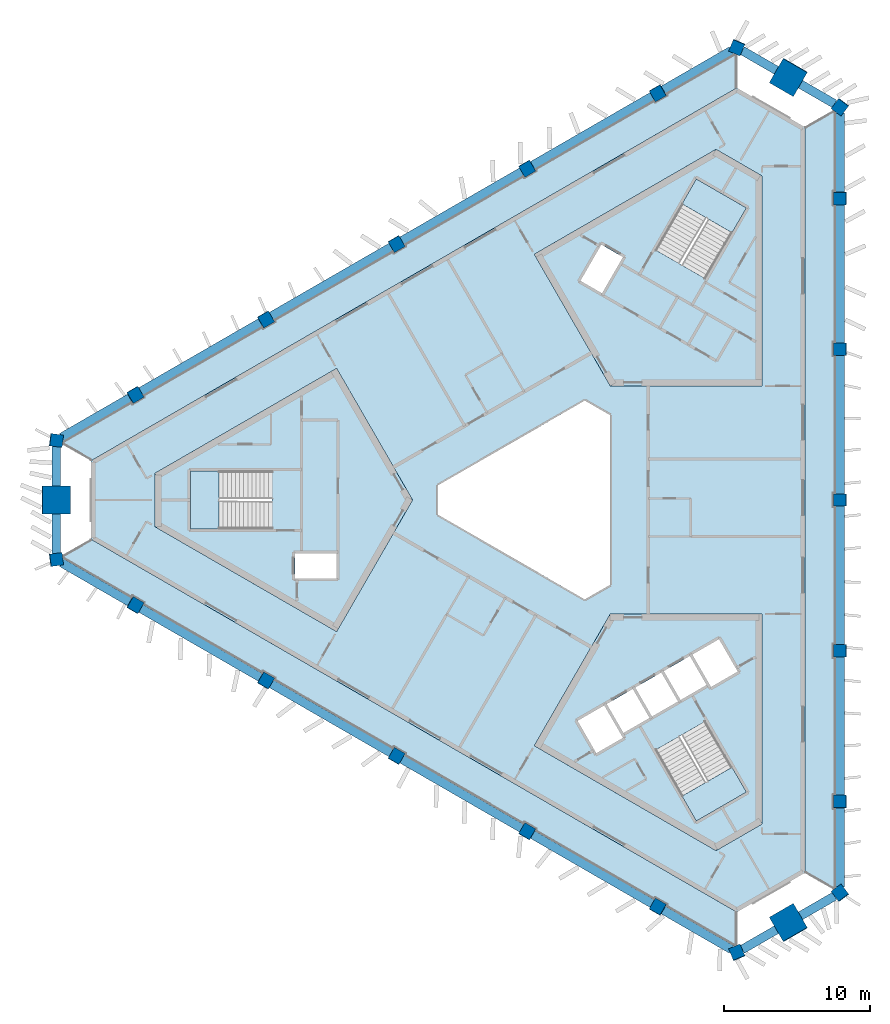
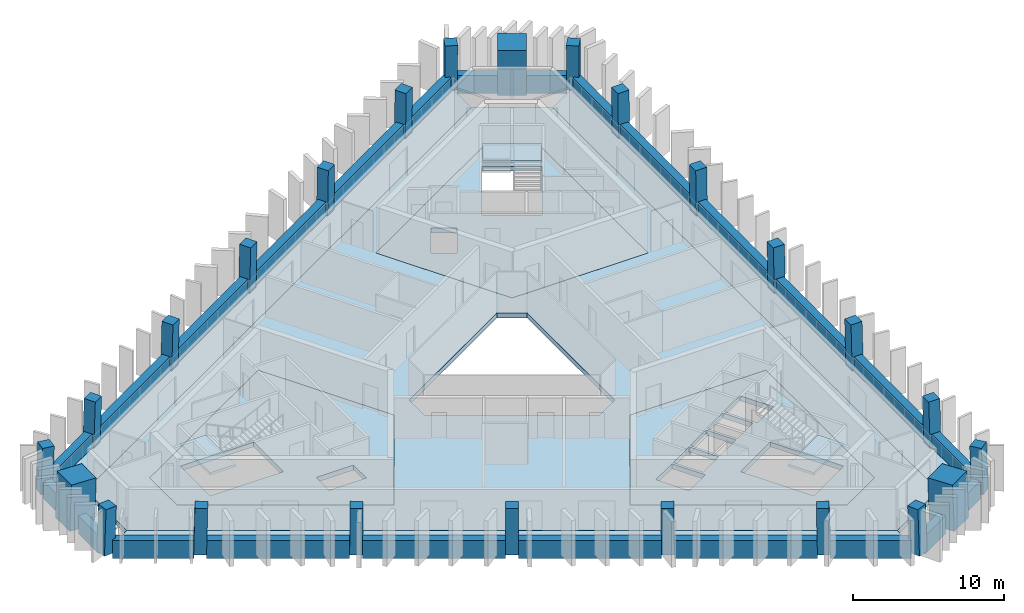
# One storey, part 1 of 9: 24 beams, 24 columns, 10 slabs, 3 elements without a shape of their own.
"""IFC4 building model written with IfcOpenShell, lengths in metres."""

from ifc_helpers import new_model, si_unit, direction, frame, origin, origin_2d, place, context, subcontext, project, spatial, polyline, rectangle, outline, extrude, material, layer, layer_set, material_profile, profile_set, type_object, element, aggregate, save


model = new_model("IFC4")

# Units and contexts
model_context = context("Model", 3, precision=1e-05, world=origin(), true_north=direction((0.0, 1.0)))
body_context = subcontext(model_context, "Body", "Model", "MODEL_VIEW")
ifc_project = project(units=[si_unit("LENGTHUNIT", "METRE"), si_unit("AREAUNIT", "SQUARE_METRE"), si_unit("VOLUMEUNIT", "CUBIC_METRE"), si_unit("PLANEANGLEUNIT", "RADIAN"), si_unit("MASSUNIT", "GRAM", prefix="KILO")], contexts=[model_context])

# Site, building, storey
site_placement = place(None, origin())
site = spatial("IfcSite", under=ifc_project, at=site_placement, CompositionType="ELEMENT")
building_placement = place(site_placement, origin())
building = spatial("IfcBuilding", under=site, at=building_placement, Name="Jabali Bay Hotel Tower and Convention Centre", CompositionType="ELEMENT")
storey_placement = place(building_placement, frame((0.0, 0.0, 220.60009765625)))
storey = spatial("IfcBuildingStorey", under=building, at=storey_placement, Name="L54", CompositionType="ELEMENT", Elevation=220.60009765625)

# Columns
ifc_material_1 = material(Name="Concrete C60", Category="concrete")
ifc_material_profile_1 = material_profile(ifc_material_1, rectangle(XDim=0.85009765625, YDim=0.85009765625, at=origin_2d()), Name="Frame column 850")
ifc_profile_set_1 = profile_set([ifc_material_profile_1], Name="Concrete C60")
column_type_1 = type_object("IfcColumnType", Name="Frame column 850", PredefinedType="COLUMN", material=ifc_profile_set_1)
column_1_placement = place(storey_placement, frame((82.751953125, 107.802734375, 0.0), z_axis=(-0.00837646992, -0.028097450282, 0.999570091609), x_axis=(0.866174253108, 0.499288249334, 0.021293363534)))
element("IfcColumn", 1, at=column_1_placement, inside=storey, type_object=column_type_1, Name="FC5 F1.1 L54", PredefinedType="COLUMN", context=body_context, shape_type="SweptSolid", body=[
    extrude(rectangle(XDim=0.85009765625, YDim=0.85009765625, at=origin_2d()), origin(), (0.0, 0.0, 1.0), 3.70166015625),
])
column_2_placement = place(storey_placement, frame((73.825439453125, 102.649169921875, 0.0), z_axis=(0.000857578916, -0.022824792675, 0.999739112668), x_axis=(0.866059992904, 0.499826241631, 0.010668498825)))
element("IfcColumn", 2, at=column_2_placement, inside=storey, type_object=column_type_1, Name="FC5 F1.2 L54", PredefinedType="COLUMN", context=body_context, shape_type="SweptSolid", body=[
    extrude(rectangle(XDim=0.85009765625, YDim=0.85009765625, at=origin_2d()), origin(), (0.0, 0.0, 1.0), 3.700927734375),
])
column_3_placement = place(storey_placement, frame((64.89892578125, 97.495361328125, 0.0), z_axis=(0.010093620709, -0.017482414954, 0.999796221231), x_axis=(-0.499897086036, 0.865849517735, 0.020187025824)))
element("IfcColumn", 3, at=column_3_placement, inside=storey, type_object=column_type_1, Name="FC5 F1.3 L54", PredefinedType="COLUMN", context=body_context, shape_type="SweptSolid", body=[
    extrude(rectangle(XDim=0.85009765625, YDim=0.85009765625, at=origin_2d()), origin(), (0.0, 0.0, 1.0), 3.70068359375),
])
column_4_placement = place(storey_placement, frame((55.97265625, 92.341796875, 0.0), z_axis=(0.019328516974, -0.012138044789, 0.999739504221), x_axis=(-0.500200160538, 0.865674608258, 0.020180981521)))
element("IfcColumn", 4, at=column_4_placement, inside=storey, type_object=column_type_1, Name="FC5 F1.4 L54", PredefinedType="COLUMN", context=body_context, shape_type="SweptSolid", body=[
    extrude(rectangle(XDim=0.85009765625, YDim=0.85009765625, at=origin_2d()), origin(), (0.0, 0.0, 1.0), 3.700927734375),
])
for number, where, z_axis, x_axis, name in (
    (5, (47.046142578125, 87.18798828125, 0.0), (0.02855911485, -0.006793507689, 0.999569019734), (-0.500405785832, 0.865555785013, 0.020180003373), "FC5 F1.5 L54"),
    (6, (47.046142578125, 72.81201171875, 0.0), (0.02855911485, 0.006793507689, 0.999569019734), (-0.865319840559, 0.500766443848, 0.021319996519), "FC5 F2.1 L54"),
):
    element("IfcColumn", number, at=place(storey_placement, frame(where, z_axis=z_axis, x_axis=x_axis)), inside=storey, type_object=column_type_1, Name=name, PredefinedType="COLUMN", context=body_context, shape_type="SweptSolid", body=[
        extrude(rectangle(XDim=0.85009765625, YDim=0.85009765625, at=origin_2d()), origin(), (0.0, 0.0, 1.0), 3.70166015625),
    ])
column_5_placement = place(storey_placement, frame((55.97265625, 67.658203125, 0.0), z_axis=(0.019328516974, 0.012138044789, 0.999739504221), x_axis=(-0.865694061334, 0.500459928951, 0.010660754407)))
element("IfcColumn", 7, at=column_5_placement, inside=storey, type_object=column_type_1, Name="FC5 F2.2 L54", PredefinedType="COLUMN", context=body_context, shape_type="SweptSolid", body=[
    extrude(rectangle(XDim=0.85009765625, YDim=0.85009765625, at=origin_2d()), origin(), (0.0, 0.0, 1.0), 3.700927734375),
])
column_6_placement = place(storey_placement, frame((64.89892578125, 62.504638671875, 0.0), z_axis=(0.010093620709, 0.017482414954, 0.999796221231), x_axis=(-0.866025993948, 0.499998977805, 1.48331e-07)))
element("IfcColumn", 8, at=column_6_placement, inside=storey, type_object=column_type_1, Name="FC5 F2.3 L54", PredefinedType="COLUMN", context=body_context, shape_type="SweptSolid", body=[
    extrude(rectangle(XDim=0.85009765625, YDim=0.85009765625, at=origin_2d()), origin(), (0.0, 0.0, 1.0), 3.70068359375),
])
column_7_placement = place(storey_placement, frame((73.825439453125, 57.350830078125, 0.0), z_axis=(0.000857578916, 0.022824792675, 0.999739112668), x_axis=(-0.499939349571, -0.865824899744, 0.020196280228)))
element("IfcColumn", 9, at=column_7_placement, inside=storey, type_object=column_type_1, Name="FC5 F2.4 L54", PredefinedType="COLUMN", context=body_context, shape_type="SweptSolid", body=[
    extrude(rectangle(XDim=0.85009765625, YDim=0.85009765625, at=origin_2d()), origin(), (0.0, 0.0, 1.0), 3.700927734375),
])
for number, where, z_axis, x_axis, name in (
    (10, (82.751953125, 52.197265625, 0.0), (-0.00837646992, 0.028097450282, 0.999570091609), (-0.499671890349, -0.865980240747, 0.02015501501), "FC5 F2.5 L54"),
    (11, (95.201904296875, 59.38525390625, 0.0), (-0.020182659751, 0.021303918626, 0.999569308901), (0.000228267203, -0.99977282903, 0.021312865295), "FC5 F0.1 L54"),
):
    element("IfcColumn", number, at=place(storey_placement, frame(where, z_axis=z_axis, x_axis=x_axis)), inside=storey, type_object=column_type_1, Name=name, PredefinedType="COLUMN", context=body_context, shape_type="SweptSolid", body=[
        extrude(rectangle(XDim=0.85009765625, YDim=0.85009765625, at=origin_2d()), origin(), (0.0, 0.0, 1.0), 3.70166015625),
    ])
column_8_placement = place(storey_placement, frame((95.201904296875, 69.692626953125, 0.0), z_axis=(-0.020186088539, 0.010686752756, 0.999739123544), x_axis=(-0.001023376713, -0.999942568771, 0.010668264128)))
element("IfcColumn", 12, at=column_8_placement, inside=storey, type_object=column_type_1, Name="FC5 F0.2 L54", PredefinedType="COLUMN", context=body_context, shape_type="SweptSolid", body=[
    extrude(rectangle(XDim=0.85009765625, YDim=0.85009765625, at=origin_2d()), origin(), (0.0, 0.0, 1.0), 3.700927734375),
])
column_9_placement = place(storey_placement, frame((95.201904296875, 80.0, 0.0), z_axis=(-0.020187241331, 0.0, 0.99979621688), x_axis=(0.0, -1.0, 0.0)))
element("IfcColumn", 13, at=column_9_placement, inside=storey, type_object=column_type_1, Name="FC5 F0.3 L54", PredefinedType="COLUMN", context=body_context, shape_type="SweptSolid", body=[
    extrude(rectangle(XDim=0.85009765625, YDim=0.85009765625, at=origin_2d()), origin(), (0.0, 0.0, 1.0), 3.70068359375),
])
column_10_placement = place(storey_placement, frame((95.201904296875, 90.307373046875, 0.0), z_axis=(-0.020186088539, -0.010686752756, 0.999739123544), x_axis=(0.999795716399, 0.000807759214, 0.020195865801)))
element("IfcColumn", 14, at=column_10_placement, inside=storey, type_object=column_type_1, Name="FC5 F0.4 L54", PredefinedType="COLUMN", context=body_context, shape_type="SweptSolid", body=[
    extrude(rectangle(XDim=0.85009765625, YDim=0.85009765625, at=origin_2d()), origin(), (0.0, 0.0, 1.0), 3.700927734375),
])
column_11_placement = place(storey_placement, frame((95.201904296875, 100.61474609375, 0.0), z_axis=(-0.020182659751, -0.021303918626, 0.999569308901), x_axis=(0.999796283319, -0.000658319199, 0.020173211851)))
element("IfcColumn", 15, at=column_11_placement, inside=storey, type_object=column_type_1, Name="FC5 F0.5 L54", PredefinedType="COLUMN", context=body_context, shape_type="SweptSolid", body=[
    extrude(rectangle(XDim=0.85009765625, YDim=0.85009765625, at=origin_2d()), origin(), (0.0, 0.0, 1.0), 3.70166015625),
])
for number, where, z_axis, x_axis, name in (
    (16, (95.201904296875, 53.146728515625, 0.0), (-0.020178741915, 0.029015184452, 0.999375273581), (-0.799222095531, -0.601034374203, 0.001312646877), "FC5 V0 L54"),
    (17, (95.201904296875, 106.853271484375, 0.0), (-0.020178741915, -0.029015184452, 0.999375273581), (0.600696978842, 0.798696312811, 0.035317694039), "FC5 V1 L54"),
    (18, (88.154541015625, 110.922119140625, 0.0), (-0.014969213121, -0.031982680017, 0.999376320931), (0.920813908351, -0.390000033764, 0.001311431265), "FC5 V2 L54"),
    (19, (41.643310546875, 84.06884765625, 0.0), (0.03521388716, -0.002967462401, 0.999375393092), (-0.992039499193, 0.120874030665, 0.035314313688), "FC5 V3 L54"),
    (20, (41.643310546875, 75.93115234375, 0.0), (0.03521388716, 0.002967462401, 0.999375393092), (-0.120903325809, 0.992663418726, 0.001312604562), "FC5 V4 L54"),
    (21, (88.154541015625, 49.077880859375, 0.0), (-0.014969213121, 0.031982680017, 0.999376320931), (0.38971485582, -0.920259247084, 0.035288090208), "FC5 V5 L54"),
):
    element("IfcColumn", number, at=place(storey_placement, frame(where, z_axis=z_axis, x_axis=x_axis)), inside=storey, type_object=column_type_1, Name=name, PredefinedType="COLUMN", context=body_context, shape_type="SweptSolid", body=[
        extrude(rectangle(XDim=0.85009765625, YDim=0.85009765625, at=origin_2d()), origin(), (0.0, 0.0, 1.0), 3.7021484375),
    ])
ifc_material_2 = material(Name="Concrete C70", Category="concrete")
ifc_material_profile_2 = material_profile(ifc_material_2, rectangle(XDim=1.89990234375, YDim=1.89990234375, at=origin_2d()), Name="Mega column 1900")
ifc_profile_set_2 = profile_set([ifc_material_profile_2], Name="Concrete C70")
column_type_2 = type_object("IfcColumnType", Name="Mega column 1900", PredefinedType="COLUMN", material=ifc_profile_set_2)
for number, where, z_axis, x_axis, name in (
    (22, (91.67822265625, 108.8876953125, 0.0), (-0.017607037296, -0.030466109479, 0.999380712447), (0.500064653071, 0.865272876704, 0.035187946645), "MC5 M1 L54"),
    (23, (41.643310546875, 80.0, 0.0), (0.035214042205, 0.0, 0.999379793288), (0.0, 1.0, 0.0), "MC5 M0 L54"),
    (24, (91.67822265625, 51.1123046875, 0.0), (-0.017607037296, 0.030466109479, 0.999380712447), (-0.865809063816, -0.500374524745, 1.32655e-07), "MC5 M2 L54"),
):
    element("IfcColumn", number, at=place(storey_placement, frame(where, z_axis=z_axis, x_axis=x_axis)), inside=storey, type_object=column_type_2, Name=name, PredefinedType="COLUMN", context=body_context, shape_type="SweptSolid", body=[
        extrude(rectangle(XDim=1.89990234375, YDim=1.89990234375, at=origin_2d()), origin(), (0.0, 0.0, 1.0), 3.7021484375),
    ])

# Beams
ifc_material_profile_3 = material_profile(ifc_material_1, rectangle(XDim=0.60009765625, YDim=1.449951171875, at=origin_2d()), Name="Spandrel 600x1450")
ifc_profile_set_3 = profile_set([ifc_material_profile_3], Name="Concrete C60")
beam_type = type_object("IfcBeamType", Name="Spandrel 600x1450", PredefinedType="SPANDREL", material=ifc_profile_set_3)
beam_1_placement = place(storey_placement, frame((90.848876953125, 109.351318359375, 0.375), z_axis=(-0.866036099759, 0.499981473571, 0.0), x_axis=(-0.499981473571, -0.866036099759, 0.0)))
element("IfcBeam", 25, at=beam_1_placement, inside=storey, type_object=beam_type, Name="Spandrel M1-V2 L54", PredefinedType="SPANDREL", context=body_context, shape_type="SweptSolid", body=[
    extrude(rectangle(XDim=0.60009765625, YDim=1.449951171875, at=origin_2d()), origin(), (0.0, 0.0, 1.0), 2.6923828125),
])
beam_2_placement = place(storey_placement, frame((87.781005859375, 110.697509765625, 0.375), z_axis=(-0.866030838723, -0.499990586292, 0.0), x_axis=(0.499990586292, -0.866030838723, 0.0)))
element("IfcBeam", 26, at=beam_2_placement, inside=storey, type_object=beam_type, Name="Spandrel V2-F1.1 L54", PredefinedType="SPANDREL", context=body_context, shape_type="SweptSolid", body=[
    extrude(rectangle(XDim=0.60009765625, YDim=1.449951171875, at=origin_2d()), origin(), (0.0, 0.0, 1.0), 5.3857421875),
])
for number, where, z_axis, x_axis, name in (
    (27, (82.380615234375, 107.579833984375, 0.375), (-0.866017425526, -0.500013818495, 0.0), (0.500013818495, -0.866017425526, 0.0), "Spandrel F1.1-F1.2 L54"),
    (28, (73.457763671875, 102.427978515625, 0.375), (-0.86603506475, -0.499983266343, 0.0), (0.499983266343, -0.86603506475, 0.0), "Spandrel F1.2-F1.3 L54"),
):
    element("IfcBeam", number, at=place(storey_placement, frame(where, z_axis=z_axis, x_axis=x_axis)), inside=storey, type_object=beam_type, Name=name, PredefinedType="SPANDREL", context=body_context, shape_type="SweptSolid", body=[
        extrude(rectangle(XDim=0.60009765625, YDim=1.449951171875, at=origin_2d()), origin(), (0.0, 0.0, 1.0), 9.453369140625),
    ])
beam_3_placement = place(storey_placement, frame((64.53466796875, 97.2763671875, 0.375), z_axis=(-0.86602860857, -0.499994449107, 0.0), x_axis=(0.499994449107, -0.86602860857, 0.0)))
element("IfcBeam", 29, at=beam_3_placement, inside=storey, type_object=beam_type, Name="Spandrel F1.3-F1.4 L54", PredefinedType="SPANDREL", context=body_context, shape_type="SweptSolid", body=[
    extrude(rectangle(XDim=0.60009765625, YDim=1.449951171875, at=origin_2d()), origin(), (0.0, 0.0, 1.0), 9.453125),
])
beam_4_placement = place(storey_placement, frame((55.61181640625, 92.124755859375, 0.375), z_axis=(-0.866023882122, -0.500002635587, 0.0), x_axis=(0.500002635587, -0.866023882122, 0.0)))
element("IfcBeam", 30, at=beam_4_placement, inside=storey, type_object=beam_type, Name="Spandrel F1.4-F1.5 L54", PredefinedType="SPANDREL", context=body_context, shape_type="SweptSolid", body=[
    extrude(rectangle(XDim=0.60009765625, YDim=1.449951171875, at=origin_2d()), origin(), (0.0, 0.0, 1.0), 9.45361328125),
])
beam_5_placement = place(storey_placement, frame((46.688720703125, 86.972900390625, 0.375), z_axis=(-0.866039135275, -0.499976215607, 0.0), x_axis=(0.499976215607, -0.866039135275, 0.0)))
element("IfcBeam", 31, at=beam_5_placement, inside=storey, type_object=beam_type, Name="Spandrel F1.5-V3 L54", PredefinedType="SPANDREL", context=body_context, shape_type="SweptSolid", body=[
    extrude(rectangle(XDim=0.60009765625, YDim=1.449951171875, at=origin_2d()), origin(), (0.0, 0.0, 1.0), 5.385498046875),
])
for number, where, z_axis, x_axis, name in (
    (32, (41.656494140625, 83.642578125, 0.375), (0.0, -1.0, 0.0), (1.0, 0.0, 0.0), "Spandrel V3-M0 L54"),
    (33, (41.656494140625, 79.050048828125, 0.375), (0.0, -1.0, 0.0), (1.0, 0.0, 0.0), "Spandrel M0-V4 L54"),
):
    element("IfcBeam", number, at=place(storey_placement, frame(where, z_axis=z_axis, x_axis=x_axis)), inside=storey, type_object=beam_type, Name=name, PredefinedType="SPANDREL", context=body_context, shape_type="SweptSolid", body=[
        extrude(rectangle(XDim=0.60009765625, YDim=1.449951171875, at=origin_2d()), origin(), (0.0, 0.0, 1.0), 2.692626953125),
    ])
beam_6_placement = place(storey_placement, frame((42.024658203125, 75.7197265625, 0.375), z_axis=(0.866039135275, -0.499976215607, 0.0), x_axis=(0.499976215607, 0.866039135275, 0.0)))
element("IfcBeam", 34, at=beam_6_placement, inside=storey, type_object=beam_type, Name="Spandrel V4-F2.1 L54", PredefinedType="SPANDREL", context=body_context, shape_type="SweptSolid", body=[
    extrude(rectangle(XDim=0.60009765625, YDim=1.449951171875, at=origin_2d()), origin(), (0.0, 0.0, 1.0), 5.385498046875),
])
beam_7_placement = place(storey_placement, frame((47.4248046875, 72.60205078125, 0.375), z_axis=(0.866023882122, -0.500002635587, 0.0), x_axis=(0.500002635587, 0.866023882122, 0.0)))
element("IfcBeam", 35, at=beam_7_placement, inside=storey, type_object=beam_type, Name="Spandrel F2.1-F2.2 L54", PredefinedType="SPANDREL", context=body_context, shape_type="SweptSolid", body=[
    extrude(rectangle(XDim=0.60009765625, YDim=1.449951171875, at=origin_2d()), origin(), (0.0, 0.0, 1.0), 9.45361328125),
])
beam_8_placement = place(storey_placement, frame((56.347900390625, 67.4501953125, 0.375), z_axis=(0.86602860857, -0.499994449107, 0.0), x_axis=(0.499994449107, 0.86602860857, 0.0)))
element("IfcBeam", 36, at=beam_8_placement, inside=storey, type_object=beam_type, Name="Spandrel F2.2-F2.3 L54", PredefinedType="SPANDREL", context=body_context, shape_type="SweptSolid", body=[
    extrude(rectangle(XDim=0.60009765625, YDim=1.449951171875, at=origin_2d()), origin(), (0.0, 0.0, 1.0), 9.453125),
])
for number, where, z_axis, x_axis, name in (
    (37, (65.270751953125, 62.298583984375, 0.375), (0.86603506475, -0.499983266343, 0.0), (0.499983266343, 0.86603506475, 0.0), "Spandrel F2.3-F2.4 L54"),
    (38, (74.19384765625, 57.14697265625, 0.375), (0.866017425526, -0.500013818495, 0.0), (0.500013818495, 0.866017425526, 0.0), "Spandrel F2.4-F2.5 L54"),
):
    element("IfcBeam", number, at=place(storey_placement, frame(where, z_axis=z_axis, x_axis=x_axis)), inside=storey, type_object=beam_type, Name=name, PredefinedType="SPANDREL", context=body_context, shape_type="SweptSolid", body=[
        extrude(rectangle(XDim=0.60009765625, YDim=1.449951171875, at=origin_2d()), origin(), (0.0, 0.0, 1.0), 9.453369140625),
    ])
beam_9_placement = place(storey_placement, frame((83.11669921875, 51.995361328125, 0.375), z_axis=(0.866030838723, -0.499990586292, 0.0), x_axis=(0.499990586292, 0.866030838723, 0.0)))
element("IfcBeam", 39, at=beam_9_placement, inside=storey, type_object=beam_type, Name="Spandrel F2.5-V5 L54", PredefinedType="SPANDREL", context=body_context, shape_type="SweptSolid", body=[
    extrude(rectangle(XDim=0.60009765625, YDim=1.449951171875, at=origin_2d()), origin(), (0.0, 0.0, 1.0), 5.3857421875),
])
beam_10_placement = place(storey_placement, frame((88.51708984375, 49.302490234375, 0.375), z_axis=(0.866036099759, 0.499981473571, 0.0), x_axis=(-0.499981473571, 0.866036099759, 0.0)))
element("IfcBeam", 40, at=beam_10_placement, inside=storey, type_object=beam_type, Name="Spandrel V5-M2 L54", PredefinedType="SPANDREL", context=body_context, shape_type="SweptSolid", body=[
    extrude(rectangle(XDim=0.60009765625, YDim=1.449951171875, at=origin_2d()), origin(), (0.0, 0.0, 1.0), 2.6923828125),
])
beam_11_placement = place(storey_placement, frame((92.494384765625, 51.5986328125, 0.375), z_axis=(0.866019505967, 0.500010215181, 0.0), x_axis=(-0.500010215181, 0.866019505967, 0.0)))
element("IfcBeam", 41, at=beam_11_placement, inside=storey, type_object=beam_type, Name="Spandrel M2-V0 L54", PredefinedType="SPANDREL", context=body_context, shape_type="SweptSolid", body=[
    extrude(rectangle(XDim=0.60009765625, YDim=1.449951171875, at=origin_2d()), origin(), (0.0, 0.0, 1.0), 2.69287109375),
])
beam_12_placement = place(storey_placement, frame((95.1943359375, 53.58251953125, 0.375), z_axis=(0.0, 1.0, 0.0), x_axis=(-1.0, 0.0, 0.0)))
element("IfcBeam", 42, at=beam_12_placement, inside=storey, type_object=beam_type, Name="Spandrel V0-F0.1 L54", PredefinedType="SPANDREL", context=body_context, shape_type="SweptSolid", body=[
    extrude(rectangle(XDim=0.60009765625, YDim=1.449951171875, at=origin_2d()), origin(), (0.0, 0.0, 1.0), 5.3857421875),
])
for number, where, z_axis, x_axis, name in (
    (43, (95.1943359375, 59.818359375, 0.375), (0.0, 1.0, 0.0), (-1.0, 0.0, 0.0), "Spandrel F0.1-F0.2 L54"),
    (44, (95.1943359375, 70.12158203125, 0.375), (0.0, 1.0, 0.0), (-1.0, 0.0, 0.0), "Spandrel F0.2-F0.3 L54"),
    (45, (95.1943359375, 80.425048828125, 0.375), (0.0, 1.0, 0.0), (-1.0, 0.0, 0.0), "Spandrel F0.3-F0.4 L54"),
    (46, (95.1943359375, 90.728271484375, 0.375), (0.0, 1.0, 0.0), (-1.0, 0.0, 0.0), "Spandrel F0.4-F0.5 L54"),
):
    element("IfcBeam", number, at=place(storey_placement, frame(where, z_axis=z_axis, x_axis=x_axis)), inside=storey, type_object=beam_type, Name=name, PredefinedType="SPANDREL", context=body_context, shape_type="SweptSolid", body=[
        extrude(rectangle(XDim=0.60009765625, YDim=1.449951171875, at=origin_2d()), origin(), (0.0, 0.0, 1.0), 9.453369140625),
    ])
beam_13_placement = place(storey_placement, frame((95.1943359375, 101.03173828125, 0.375), z_axis=(0.0, 1.0, 0.0), x_axis=(-1.0, 0.0, 0.0)))
element("IfcBeam", 47, at=beam_13_placement, inside=storey, type_object=beam_type, Name="Spandrel F0.5-V1 L54", PredefinedType="SPANDREL", context=body_context, shape_type="SweptSolid", body=[
    extrude(rectangle(XDim=0.60009765625, YDim=1.449951171875, at=origin_2d()), origin(), (0.0, 0.0, 1.0), 5.3857421875),
])
beam_14_placement = place(storey_placement, frame((94.826416015625, 107.054931640625, 0.375), z_axis=(-0.866019505967, 0.500010215181, 0.0), x_axis=(-0.500010215181, -0.866019505967, 0.0)))
element("IfcBeam", 48, at=beam_14_placement, inside=storey, type_object=beam_type, Name="Spandrel V1-M1 L54", PredefinedType="SPANDREL", context=body_context, shape_type="SweptSolid", body=[
    extrude(rectangle(XDim=0.60009765625, YDim=1.449951171875, at=origin_2d()), origin(), (0.0, 0.0, 1.0), 2.69287109375),
])

# Slabs
ifc_material_3 = material(Name="Concrete C40", Category="concrete")
ifc_layer_1 = layer(ifc_material_3, 0.39990234375)
ifc_layer_set_1 = layer_set([ifc_layer_1], Name="Concrete C40")
slab_type_1 = type_object("IfcSlabType", Name="Core floor slab 400", PredefinedType="FLOOR", material=ifc_layer_set_1)
slab_1_placement = place(storey_placement, frame((0.0, 0.0, -0.400146484375)))
element("IfcSlab", 49, at=slab_1_placement, inside=storey, type_object=slab_type_1, Name="Core floor slab 1 L54", PredefinedType="FLOOR", context=body_context, shape_type="SweptSolid", body=[
    extrude(outline(polyline([(66.0, 80.0), (60.81005859375, 88.9892578125), (48.39697265625, 81.82275390625), (48.39697265625, 78.17724609375), (60.81005859375, 71.0107421875), (66.0, 80.0)]), holes=[polyline([(60.800048828125, 76.35009765625), (57.949951171875, 76.35009765625), (57.949951171875, 74.64990234375), (60.800048828125, 74.64990234375), (60.800048828125, 76.35009765625)]), polyline([(50.820068359375, 81.97509765625), (50.820068359375, 78.02490234375), (56.409912109375, 78.02490234375), (56.409912109375, 81.97509765625), (50.820068359375, 81.97509765625)])]), origin(), (0.0, 0.0, 1.0), 0.400146484375),
])
slab_2_placement = place(storey_placement, frame((0.0, 0.0, -0.400146484375)))
element("IfcSlab", 50, at=slab_2_placement, inside=storey, type_object=slab_type_1, Name="Core floor slab 2 L54", PredefinedType="FLOOR", context=body_context, shape_type="SweptSolid", body=[
    extrude(outline(polyline([(79.5, 87.794189453125), (89.8798828125, 87.794189453125), (89.8798828125, 102.127685546875), (86.72314453125, 103.9501953125), (74.31005859375, 96.78369140625), (79.5, 87.794189453125)]), holes=[polyline([(78.93896484375, 94.12255859375), (80.364013671875, 96.5908203125), (78.891845703125, 97.440673828125), (77.466796875, 94.97265625), (78.93896484375, 94.12255859375)]), polyline([(88.80029296875, 99.952880859375), (85.379638671875, 101.927978515625), (82.584716796875, 97.0869140625), (86.00537109375, 95.11181640625), (88.80029296875, 99.952880859375)])]), origin(), (0.0, 0.0, 1.0), 0.400146484375),
])
slab_3_placement = place(storey_placement, frame((0.0, 0.0, -0.400146484375)))
element("IfcSlab", 51, at=slab_3_placement, inside=storey, type_object=slab_type_1, Name="Core floor slab 3 L54", PredefinedType="FLOOR", context=body_context, shape_type="SweptSolid", body=[
    extrude(outline(polyline([(79.5, 72.205810546875), (74.31005859375, 63.21630859375), (86.72314453125, 56.0498046875), (89.8798828125, 57.872314453125), (89.8798828125, 72.205810546875), (79.5, 72.205810546875)]), holes=[polyline([(82.584716796875, 62.9130859375), (85.379638671875, 58.072021484375), (88.80029296875, 60.047119140625), (86.00537109375, 64.88818359375), (82.584716796875, 62.9130859375)]), polyline([(80.365478515625, 63.756591796875), (79.090576171875, 65.96484375), (77.27197265625, 64.9150390625), (78.546875, 62.70654296875), (80.365478515625, 63.756591796875)]), polyline([(82.17919921875, 65.115478515625), (81.0390625, 67.08984375), (79.263671875, 66.06494140625), (80.40380859375, 64.09033203125), (82.17919921875, 65.115478515625)]), polyline([(82.98779296875, 68.21484375), (81.21240234375, 67.18994140625), (82.352294921875, 65.21533203125), (84.127685546875, 66.240478515625), (82.98779296875, 68.21484375)]), polyline([(86.076171875, 67.365478515625), (84.936279296875, 69.33984375), (83.160888671875, 68.31494140625), (84.30078125, 66.34033203125), (86.076171875, 67.365478515625)]), polyline([(88.203125, 68.281494140625), (86.927978515625, 70.489990234375), (85.109375, 69.43994140625), (86.384521484375, 67.231689453125), (88.203125, 68.281494140625)])]), origin(), (0.0, 0.0, 1.0), 0.400146484375),
])
ifc_layer_2 = layer(ifc_material_3, 0.199951171875)
ifc_layer_set_2 = layer_set([ifc_layer_2], Name="Concrete C40")
slab_type_2 = type_object("IfcSlabType", Name="Loggia slab 200", PredefinedType="FLOOR", material=ifc_layer_set_2)
slab_4_placement = place(storey_placement, frame((0.0, 0.0, -0.2001953125)))
element("IfcSlab", 52, at=slab_4_placement, inside=storey, type_object=slab_type_2, Name="Loggia slab east face L54", PredefinedType="FLOOR", context=body_context, shape_type="SweptSolid", body=[
    extrude(outline(polyline([(92.802001953125, 105.4677734375), (94.802001953125, 106.622314453125), (94.902099609375, 106.547119140625), (94.902099609375, 101.039794921875), (94.777099609375, 101.039794921875), (94.777099609375, 100.189697265625), (94.902099609375, 100.189697265625), (94.902099609375, 90.732421875), (94.777099609375, 90.732421875), (94.777099609375, 89.88232421875), (94.902099609375, 89.88232421875), (94.902099609375, 80.425048828125), (94.777099609375, 80.425048828125), (94.777099609375, 79.574951171875), (94.902099609375, 79.574951171875), (94.902099609375, 70.11767578125), (94.777099609375, 70.11767578125), (94.777099609375, 69.267578125), (94.902099609375, 69.267578125), (94.902099609375, 59.810302734375), (94.777099609375, 59.810302734375), (94.777099609375, 58.960205078125), (94.902099609375, 58.960205078125), (94.902099609375, 53.452880859375), (94.802001953125, 53.377685546875), (92.802001953125, 54.5322265625), (92.802001953125, 105.4677734375)])), origin(), (0.0, 0.0, 1.0), 0.2001953125),
])
slab_5_placement = place(storey_placement, frame((0.0, 0.0, -0.2001953125)))
element("IfcSlab", 53, at=slab_5_placement, inside=storey, type_object=slab_type_2, Name="Loggia slab north-west face L54", PredefinedType="FLOOR", context=body_context, shape_type="SweptSolid", body=[
    extrude(outline(polyline([(44.04345703125, 82.68310546875), (42.043212890625, 83.837890625), (42.05859375, 83.962158203125), (46.828125, 86.7158203125), (46.890625, 86.607421875), (47.626708984375, 87.032470703125), (47.564208984375, 87.140869140625), (55.75439453125, 91.869384765625), (55.81689453125, 91.76123046875), (56.55322265625, 92.186279296875), (56.49072265625, 92.29443359375), (64.680908203125, 97.023193359375), (64.743408203125, 96.914794921875), (65.4794921875, 97.33984375), (65.4169921875, 97.4482421875), (73.607421875, 102.1767578125), (73.669921875, 102.068603515625), (74.406005859375, 102.49365234375), (74.343505859375, 102.601806640625), (82.533935546875, 107.33056640625), (82.596435546875, 107.22216796875), (83.33251953125, 107.647216796875), (83.27001953125, 107.75537109375), (88.03955078125, 110.50927734375), (88.154541015625, 110.460205078125), (88.154541015625, 108.15087890625), (44.04345703125, 82.68310546875)])), origin(), (0.0, 0.0, 1.0), 0.2001953125),
])
slab_6_placement = place(storey_placement, frame((0.0, 0.0, -0.2001953125)))
element("IfcSlab", 54, at=slab_6_placement, inside=storey, type_object=slab_type_2, Name="Loggia slab south-west face L54", PredefinedType="FLOOR", context=body_context, shape_type="SweptSolid", body=[
    extrude(outline(polyline([(88.154541015625, 51.84912109375), (88.154541015625, 49.539794921875), (88.03955078125, 49.49072265625), (83.27001953125, 52.24462890625), (83.33251953125, 52.352783203125), (82.596435546875, 52.77783203125), (82.533935546875, 52.66943359375), (74.343505859375, 57.398193359375), (74.406005859375, 57.50634765625), (73.669921875, 57.931396484375), (73.607421875, 57.8232421875), (65.4169921875, 62.5517578125), (65.4794921875, 62.66015625), (64.743408203125, 63.085205078125), (64.680908203125, 62.976806640625), (56.49072265625, 67.70556640625), (56.55322265625, 67.813720703125), (55.81689453125, 68.23876953125), (55.75439453125, 68.130615234375), (47.564208984375, 72.859130859375), (47.626708984375, 72.967529296875), (46.890625, 73.392578125), (46.828125, 73.2841796875), (42.05859375, 76.037841796875), (42.043212890625, 76.162109375), (44.04345703125, 77.31689453125), (88.154541015625, 51.84912109375)])), origin(), (0.0, 0.0, 1.0), 0.2001953125),
])
ifc_layer_3 = layer(ifc_material_3, 0.39990234375)
ifc_layer_set_3 = layer_set([ifc_layer_3], Name="Concrete C40")
slab_type_3 = type_object("IfcSlabType", Name="Post-tensioned flat slab 400", PredefinedType="FLOOR", material=ifc_layer_set_3)
slab_7_placement = place(storey_placement, frame((0.0, 0.0, -0.400146484375)))
element("IfcSlab", 55, at=slab_7_placement, inside=storey, type_object=slab_type_3, Name="Floor slab L54", PredefinedType="FLOOR", context=body_context, shape_type="SweptSolid", body=[
    extrude(outline(polyline([(88.154541015625, 108.15087890625), (92.802001953125, 105.4677734375), (92.802001953125, 54.5322265625), (88.154541015625, 51.84912109375), (44.04345703125, 77.31689453125), (44.04345703125, 82.68310546875), (88.154541015625, 108.15087890625)]), holes=[polyline([(67.73193359375, 79.0), (77.76806640625, 73.205810546875), (79.5, 74.205810546875), (79.5, 85.794189453125), (77.76806640625, 86.794189453125), (67.73193359375, 81.0), (67.73193359375, 79.0)]), polyline([(48.39697265625, 78.17724609375), (60.81005859375, 71.0107421875), (66.0, 80.0), (60.81005859375, 88.9892578125), (48.39697265625, 81.82275390625), (48.39697265625, 78.17724609375)]), polyline([(89.8798828125, 102.127685546875), (86.72314453125, 103.9501953125), (74.31005859375, 96.78369140625), (79.5, 87.794189453125), (89.8798828125, 87.794189453125), (89.8798828125, 102.127685546875)]), polyline([(74.31005859375, 63.21630859375), (86.72314453125, 56.0498046875), (89.8798828125, 57.872314453125), (89.8798828125, 72.205810546875), (79.5, 72.205810546875), (74.31005859375, 63.21630859375)])]), origin(), (0.0, 0.0, 1.0), 0.400146484375),
])

# Stair, slab
stair_type = type_object("IfcStairType", Name="Exit stair 1900", PredefinedType="HALF_TURN_STAIR", material=ifc_material_3)
stair_1_placement = place(storey_placement, origin())
stair_1 = element("IfcStair", 56, at=stair_1_placement, inside=storey, type_object=stair_type, Name="L54 Exit Stair 1", PredefinedType="HALF_TURN_STAIR")
ifc_layer_4 = layer(ifc_material_3, 0.199951171875)
ifc_layer_set_4 = layer_set([ifc_layer_4], Name="Concrete C40")
slab_type_4 = type_object("IfcSlabType", Name="Stair landing 200", PredefinedType="LANDING", material=ifc_layer_set_4)
slab_8_placement = place(storey_placement, frame((0.0, 0.0, 1.64990234375)))
slab_8 = element("IfcSlab", 57, at=slab_8_placement, type_object=slab_type_4, Name="ST1 landing 1", PredefinedType="LANDING", context=body_context, shape_type="SweptSolid", body=[
    extrude(outline(polyline([(52.782958984375, 81.97509765625), (50.820068359375, 81.97509765625), (50.820068359375, 78.02490234375), (52.782958984375, 78.02490234375), (52.782958984375, 81.97509765625)])), origin(), (0.0, 0.0, 1.0), 0.199951171875),
])
aggregate(stair_1, [slab_8])

stair_2_placement = place(storey_placement, origin())
stair_2 = element("IfcStair", 58, at=stair_2_placement, inside=storey, type_object=stair_type, Name="L54 Exit Stair 2", PredefinedType="HALF_TURN_STAIR")
slab_9_placement = place(storey_placement, frame((0.0, 0.0, 1.64990234375)))
slab_9 = element("IfcSlab", 59, at=slab_9_placement, type_object=slab_type_4, Name="ST2 landing 1", PredefinedType="LANDING", context=body_context, shape_type="SweptSolid", body=[
    extrude(outline(polyline([(87.81884765625, 98.2529296875), (88.80029296875, 99.952880859375), (85.379638671875, 101.927978515625), (84.398193359375, 100.22802734375), (87.81884765625, 98.2529296875)])), origin(), (0.0, 0.0, 1.0), 0.199951171875),
])
aggregate(stair_2, [slab_9])

stair_3_placement = place(storey_placement, origin())
stair_3 = element("IfcStair", 60, at=stair_3_placement, inside=storey, type_object=stair_type, Name="L54 Exit Stair 3", PredefinedType="HALF_TURN_STAIR")
slab_10_placement = place(storey_placement, frame((0.0, 0.0, 1.64990234375)))
slab_10 = element("IfcSlab", 61, at=slab_10_placement, type_object=slab_type_4, Name="ST3 landing 1", PredefinedType="LANDING", context=body_context, shape_type="SweptSolid", body=[
    extrude(outline(polyline([(84.398193359375, 59.77197265625), (85.379638671875, 58.072021484375), (88.80029296875, 60.047119140625), (87.81884765625, 61.7470703125), (84.398193359375, 59.77197265625)])), origin(), (0.0, 0.0, 1.0), 0.199951171875),
])
aggregate(stair_3, [slab_10])

save(model, "model.ifc")
